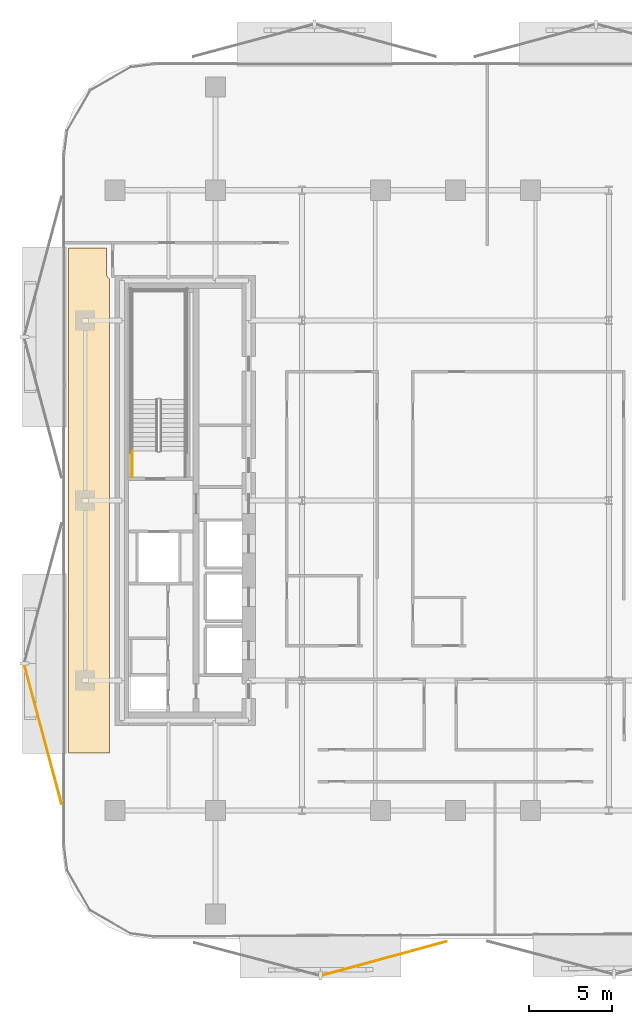
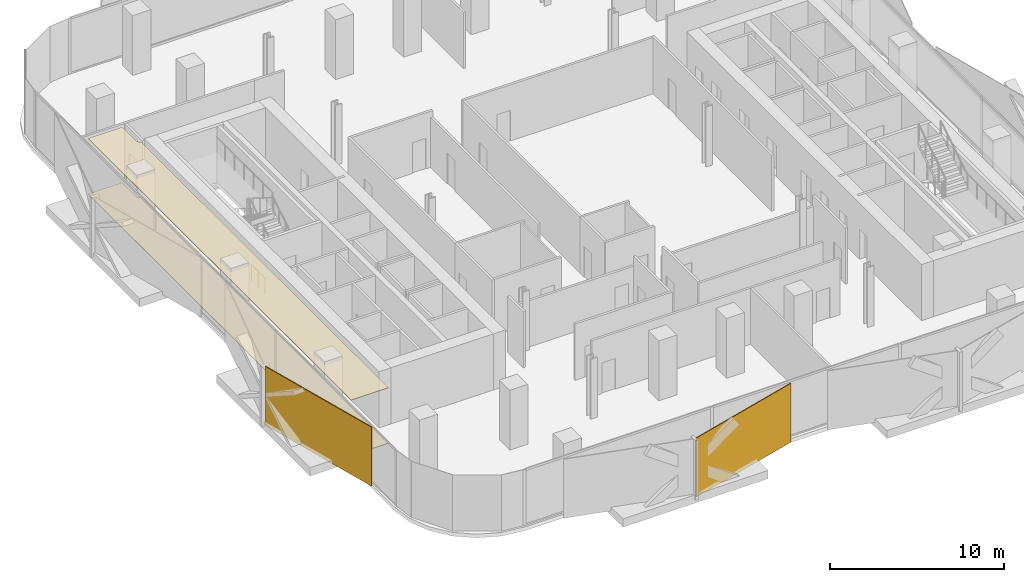
# One storey, part 11 of 16: 4 coverings, 1 railing.
"""IFC4 building model written with IfcOpenShell, lengths in metres."""

import ifcopenshell
import ifcopenshell.guid

model = None  # the IFC model being written
_history = None  # IfcOwnerHistory: only IFC2X3 demands one
_inside = {}  # id of a spatial element -> (the spatial element, [elements in it])
_under = {}  # id of a project, library or spatial element -> (it, [spatial elements below it])
_declared = {}  # id of a project -> (the project, [libraries it declares])
_typed = {}  # id of a type object -> (the type object, [elements of that type])
_made_of = {}  # id of a material, layer set ... -> (it, [elements and type objects made of it])


def new_model(schema):
    """Start an empty IFC model of exactly this schema.

    Asked for "IFC4X3", IfcOpenShell would pick the latest addendum, in which some entities
    have other attributes; the version numbers below select the first issue.
    IFC2X3 requires an IfcOwnerHistory on every rooted entity: one is made here for all.
    """
    global model, _history
    if schema == "IFC4X3":
        model = ifcopenshell.file(schema_version=(4, 3, 0, 0))
    else:
        model = ifcopenshell.file(schema=schema)
    _inside.clear()
    _under.clear()
    _declared.clear()
    _typed.clear()
    _made_of.clear()
    _history = None
    if model.schema == "IFC2X3":
        org = make("IfcOrganization", Name="unknown")
        user = make(
            "IfcPersonAndOrganization",
            ThePerson=make("IfcPerson", FamilyName="unknown"),
            TheOrganization=org,
        )
        app = make(
            "IfcApplication",
            ApplicationDeveloper=org,
            Version="unknown",
            ApplicationFullName="unknown",
            ApplicationIdentifier="unknown",
        )
        _history = make(
            "IfcOwnerHistory",
            OwningUser=user,
            OwningApplication=app,
            ChangeAction="ADDED",
            CreationDate=0,
        )
    return model


def make(cls, **values):
    """One entity of the class cls with the attributes given. An attribute that is None is left unset."""
    return model.create_entity(
        cls, **{name: value for name, value in values.items() if value is not None}
    )


def rooted(cls, **values):
    """An entity with a GlobalId (a new one), such as an element, a storey or a relation."""
    return make(cls, GlobalId=ifcopenshell.guid.new(), OwnerHistory=_history, **values)


def si_unit(unit_type, name, prefix=None):
    """IfcSIUnit, for example si_unit("LENGTHUNIT", "METRE", prefix="MILLI")."""
    return make("IfcSIUnit", UnitType=unit_type, Prefix=prefix, Name=name)


def assignment(units):
    """IfcUnitAssignment: the units of a project."""
    return None if units is None else make("IfcUnitAssignment", Units=units)


def point(xyz):
    """IfcCartesianPoint."""
    return None if xyz is None else make("IfcCartesianPoint", Coordinates=xyz)


def direction(xyz):
    """IfcDirection."""
    return None if xyz is None else make("IfcDirection", DirectionRatios=xyz)


def frame(location, z_axis=None, x_axis=None):
    """IfcAxis2Placement3D, a coordinate frame: its origin and axes. An axis left out is left unset."""
    return make(
        "IfcAxis2Placement3D",
        Location=point(location),
        Axis=direction(z_axis),
        RefDirection=direction(x_axis),
    )


def frame_2d(location, x_axis=None):
    """IfcAxis2Placement2D, a coordinate frame in the plane: its origin and x axis."""
    return make(
        "IfcAxis2Placement2D", Location=point(location), RefDirection=direction(x_axis)
    )


def origin():
    """The frame at (0, 0, 0) with its axes left unset."""
    return frame((0.0, 0.0, 0.0))


def origin_2d():
    """The frame at (0, 0) in the plane with its x axis left unset."""
    return frame_2d((0.0, 0.0))


def place(relative_to, where):
    """IfcLocalPlacement: puts the frame where relative to a parent placement (None: the world)."""
    return make(
        "IfcLocalPlacement", PlacementRelTo=relative_to, RelativePlacement=where
    )


def context(
    kind, dimensions, precision=None, world=None, true_north=None, identifier=None
):
    """IfcGeometricRepresentationContext, for example the 3D "Model" context."""
    return make(
        "IfcGeometricRepresentationContext",
        ContextIdentifier=identifier,
        ContextType=kind,
        CoordinateSpaceDimension=dimensions,
        Precision=precision,
        WorldCoordinateSystem=world,
        TrueNorth=true_north,
    )


def subcontext(parent, identifier, kind, view, scale=None):
    """IfcGeometricRepresentationSubContext, for example "Body" below "Model"."""
    return make(
        "IfcGeometricRepresentationSubContext",
        ContextIdentifier=identifier,
        ContextType=kind,
        ParentContext=parent,
        TargetScale=scale,
        TargetView=view,
    )


def project(units=None, contexts=None):
    """IfcProject with its units and contexts."""
    return rooted(
        "IfcProject",
        Name="project",
        RepresentationContexts=contexts,
        UnitsInContext=assignment(units),
    )


def spatial(cls, under=None, at=None, **own):
    """A site, building, storey or space (cls), placed at a placement, below another one or the project."""
    s = rooted(cls, ObjectPlacement=at, **own)
    if under is not None:
        _under.setdefault(under.id(), (under, []))[1].append(s)
    return s


def polyline(points):
    """IfcPolyline through the points."""
    return make("IfcPolyline", Points=[point(p) for p in points])


def profile(cls, at=None, kind="AREA", **sizes):
    """A parametric profile (cls). Its sizes go by their IFC names, for example OverallWidth=200.0."""
    return make(cls, ProfileType=kind, Position=at, **sizes)


def rectangle(**sizes):
    """IfcRectangleProfileDef."""
    return profile("IfcRectangleProfileDef", **sizes)


def circle(**sizes):
    """IfcCircleProfileDef."""
    return profile("IfcCircleProfileDef", **sizes)


def outline(outer, holes=None, kind="AREA"):
    """IfcArbitraryClosedProfileDef: a profile drawn as a closed curve; with holes, ...WithVoids."""
    if holes is None:
        return make("IfcArbitraryClosedProfileDef", ProfileType=kind, OuterCurve=outer)
    return make(
        "IfcArbitraryProfileDefWithVoids",
        ProfileType=kind,
        OuterCurve=outer,
        InnerCurves=holes,
    )


def extrude(swept, where, along, depth):
    """IfcExtrudedAreaSolid: the profile swept, set in the frame where, extruded along a direction by depth."""
    return make(
        "IfcExtrudedAreaSolid",
        SweptArea=swept,
        Position=where,
        ExtrudedDirection=direction(along),
        Depth=depth,
    )


def shape(context_of_items, identifier, shape_type, items):
    """IfcShapeRepresentation: the items that make up one representation, for example the "Body"."""
    return make(
        "IfcShapeRepresentation",
        ContextOfItems=context_of_items,
        RepresentationIdentifier=identifier,
        RepresentationType=shape_type,
        Items=items,
    )


def material(Name=None, Category=None):
    """IfcMaterial."""
    return make("IfcMaterial", Name=Name, Category=Category)


def layer(
    of_material, thickness, ventilated=None, Name=None, Category=None, Priority=None
):
    """IfcMaterialLayer: one layer of a wall or slab, of a material (None: an air gap)."""
    return make(
        "IfcMaterialLayer",
        Material=of_material,
        LayerThickness=thickness,
        IsVentilated=ventilated,
        Name=Name,
        Category=Category,
        Priority=Priority,
    )


def layer_set(layers, Name=None):
    """IfcMaterialLayerSet."""
    return make("IfcMaterialLayerSet", MaterialLayers=layers, LayerSetName=Name)


def made_of(thing, what):
    """Note that an element or type object is made of a material, layer set ...; save() writes the relation."""
    if what is not None:
        _made_of.setdefault(what.id(), (what, []))[1].append(thing)
    return thing


def type_object(cls, material=None, **own):
    """A type object (cls), such as IfcWallType, which elements share."""
    return made_of(rooted(cls, **own), material)


def element(
    cls,
    number,
    at=None,
    inside=None,
    cuts=None,
    type_object=None,
    material=None,
    context=None,
    identifier="Body",
    shape_type=None,
    held_by="IfcProductDefinitionShape",
    body=None,
    shapes=None,
    **own,
):
    """One element of the class cls, such as IfcWall. Its Tag is "e" and its number.

    at: its placement. inside: the storey or other place that contains it. cuts: it is an
    opening in that element (IfcRelVoidsElement). A single representation is given by context,
    identifier, shape_type and body (its items); several are given by shapes. held_by: the class
    of the entity that holds the representations. save() writes the other relations.
    """
    e = rooted(cls, Tag="e%d" % number, ObjectPlacement=at, **own)
    if body is not None:
        shapes = [shape(context, identifier, shape_type, body)]
    if shapes is not None:
        e.Representation = make(held_by, Representations=shapes)
    if inside is not None:
        _inside.setdefault(inside.id(), (inside, []))[1].append(e)
    if cuts is not None:
        rooted(
            "IfcRelVoidsElement", RelatingBuildingElement=cuts, RelatedOpeningElement=e
        )
    if type_object is not None:
        _typed.setdefault(type_object.id(), (type_object, []))[1].append(e)
    return made_of(e, material)


def aggregate(whole, parts):
    """IfcRelAggregates: a whole, such as a stair, and the parts it consists of."""
    return rooted("IfcRelAggregates", RelatingObject=whole, RelatedObjects=parts)


def save(model, path):
    """Write the relations noted so far, then the file.

    IfcRelAggregates (storeys below a building ...), IfcRelContainedInSpatialStructure (elements
    in a storey), IfcRelDefinesByType, IfcRelAssociatesMaterial and IfcRelDeclares: one each for
    every whole, place, type object, material and project.
    """
    for whole, parts in _under.values():
        aggregate(whole, parts)
    for where, things in _inside.values():
        rooted(
            "IfcRelContainedInSpatialStructure",
            RelatedElements=things,
            RelatingStructure=where,
        )
    for kind, things in _typed.values():
        rooted("IfcRelDefinesByType", RelatedObjects=things, RelatingType=kind)
    for what, things in _made_of.values():
        rooted("IfcRelAssociatesMaterial", RelatedObjects=things, RelatingMaterial=what)
    for by, libraries in _declared.values():
        rooted("IfcRelDeclares", RelatingContext=by, RelatedDefinitions=libraries)
    model.write(path)


model = new_model("IFC4")

# Units and contexts
model_context = context("Model", 3, precision=1e-05, world=origin(), true_north=direction((0.0, 1.0)))
body_context = subcontext(model_context, "Body", "Model", "MODEL_VIEW")
ifc_project = project(units=[si_unit("LENGTHUNIT", "METRE"), si_unit("AREAUNIT", "SQUARE_METRE"), si_unit("VOLUMEUNIT", "CUBIC_METRE"), si_unit("PLANEANGLEUNIT", "RADIAN"), si_unit("MASSUNIT", "GRAM", prefix="KILO")], contexts=[model_context])

# Site, building, storey
site_placement = place(None, origin())
site = spatial("IfcSite", under=ifc_project, at=site_placement, CompositionType="ELEMENT")
building_placement = place(site_placement, origin())
building = spatial("IfcBuilding", under=site, at=building_placement, Name="Khairoan Windgate Tower", CompositionType="ELEMENT")
storey_placement = place(building_placement, frame((0.0, 0.0, 97.39990234375)))
storey = spatial("IfcBuildingStorey", under=building, at=storey_placement, Name="L22", CompositionType="ELEMENT", Elevation=97.39990234375)

# Coverings
ifc_material_1 = material(Name="Engineered Teak Timber", Category="wood")
ifc_layer_1 = layer(ifc_material_1, 0.0400390625, Name="Engineered Teak Timber")
ifc_layer_set_1 = layer_set([ifc_layer_1], Name="Engineered Teak Timber")
covering_type_1 = type_object("IfcCoveringType", Name="Engineered Teak Residence Flooring", PredefinedType="FLOORING", material=ifc_layer_set_1)
covering_1_placement = place(storey_placement, origin())
element("IfcCovering", 1, at=covering_1_placement, inside=storey, type_object=covering_type_1, Name="L22 L22 West Flank Office Finish Flooring", PredefinedType="FLOORING", context=body_context, shape_type="SweptSolid", body=[
    extrude(outline(polyline([(-20.72998046875, -15.14990234375), (-23.18994140625, -15.14990234375), (-23.18994140625, 15.14990234375), (-20.929931640625, 15.14990234375), (-20.929931640625, 13.60009765625), (-20.9296875, 13.587158203125), (-20.92919921875, 13.579345703125), (-20.92724609375, 13.557373046875), (-20.926025390625, 13.549560546875), (-20.9208984375, 13.523681640625), (-20.919189453125, 13.51611328125), (-20.91162109375, 13.4912109375), (-20.90869140625, 13.483642578125), (-20.900634765625, 13.464111328125), (-20.897216796875, 13.456787109375), (-20.8837890625, 13.431884765625), (-20.879638671875, 13.425048828125), (-20.867919921875, 13.40771484375), (-20.86328125, 13.401123046875), (-20.847900390625, 13.38232421875), (-20.8427734375, 13.37646484375), (-20.823486328125, 13.357421875), (-20.817626953125, 13.35205078125), (-20.798828125, 13.336669921875), (-20.79248046875, 13.33203125), (-20.77490234375, 13.3203125), (-20.768310546875, 13.316162109375), (-20.7431640625, 13.302734375), (-20.736083984375, 13.29931640625), (-20.72998046875, 13.296875), (-20.72998046875, -15.14990234375)])), origin(), (0.0, 0.0, 1.0), 0.0400390625),
])
ifc_material_2 = material(Name="Acoustic Mineral Fibre Ceiling", Category="gypsum")
ifc_layer_2 = layer(ifc_material_2, 0.0400390625, Name="Acoustic Mineral Fibre Ceiling")
ifc_layer_set_2 = layer_set([ifc_layer_2], Name="Acoustic Mineral Fibre Ceiling")
covering_type_2 = type_object("IfcCoveringType", Name="Flush Acoustic Mineral Ceiling Panel", PredefinedType="CEILING", material=ifc_layer_set_2)
covering_2_placement = place(storey_placement, frame((0.0, 0.0, 3.900146484375)))
element("IfcCovering", 2, at=covering_2_placement, inside=storey, type_object=covering_type_2, Name="L22 L22 West Flank Office Acoustic Ceiling", PredefinedType="CEILING", context=body_context, shape_type="SweptSolid", body=[
    extrude(outline(polyline([(-20.72998046875, -15.14990234375), (-23.18994140625, -15.14990234375), (-23.18994140625, 15.14990234375), (-20.929931640625, 15.14990234375), (-20.929931640625, 13.60009765625), (-20.9296875, 13.587158203125), (-20.92919921875, 13.579345703125), (-20.92724609375, 13.557373046875), (-20.926025390625, 13.549560546875), (-20.9208984375, 13.523681640625), (-20.919189453125, 13.51611328125), (-20.91162109375, 13.4912109375), (-20.90869140625, 13.483642578125), (-20.900634765625, 13.464111328125), (-20.897216796875, 13.456787109375), (-20.8837890625, 13.431884765625), (-20.879638671875, 13.425048828125), (-20.867919921875, 13.40771484375), (-20.86328125, 13.401123046875), (-20.847900390625, 13.38232421875), (-20.8427734375, 13.37646484375), (-20.823486328125, 13.357421875), (-20.817626953125, 13.35205078125), (-20.798828125, 13.336669921875), (-20.79248046875, 13.33203125), (-20.77490234375, 13.3203125), (-20.768310546875, 13.316162109375), (-20.7431640625, 13.302734375), (-20.736083984375, 13.29931640625), (-20.72998046875, 13.296875), (-20.72998046875, -15.14990234375)])), origin(), (0.0, 0.0, 1.0), 0.0400390625),
])
ifc_material_3 = material(Name="Anodised Bronze Aluminium 6063-T6", Category="aluminium")
ifc_layer_3 = layer(ifc_material_3, 0.054931640625, Name="Anodised Bronze Aluminium 6063-T6")
ifc_layer_set_3 = layer_set([ifc_layer_3], Name="Anodised Bronze Aluminium 6063-T6")
covering_type_3 = type_object("IfcCoveringType", Name="Perforated Bronze-Ceramic Folded Solar Screen Cladding BSC-1", PredefinedType="CLADDING", material=ifc_layer_set_3)
covering_3_placement = place(storey_placement, frame((-4.261962890625, -27.470947265625, -0.099609375), z_axis=(0.0, 0.0, 1.0), x_axis=(-0.964649468762, -0.263536339841, 0.0)))
element("IfcCovering", 3, at=covering_3_placement, inside=storey, type_object=covering_type_3, Name="L22 Folded Bronze Solar Screen Facet 122L", PredefinedType="CLADDING", context=body_context, shape_type="SweptSolid", body=[
    extrude(rectangle(XDim=7.739013671875, YDim=0.054931640625, at=origin_2d()), origin(), (0.0, 0.0, 1.0), 4.139892578125),
])
covering_4_placement = place(storey_placement, frame((-24.724609375, -14.048583984375, -0.099609375), z_axis=(0.0, 0.0, 1.0), x_axis=(-0.258819045103, 0.965925826289, 0.0)))
element("IfcCovering", 4, at=covering_4_placement, inside=storey, type_object=covering_type_3, Name="L22 Folded Bronze Solar Screen Facet 123L", PredefinedType="CLADDING", context=body_context, shape_type="SweptSolid", body=[
    extrude(rectangle(XDim=8.6201171875, YDim=0.054931640625, at=origin_2d()), origin(), (0.0, 0.0, 1.0), 4.139892578125),
])

# Railing
ifc_material_4 = material(Name="Steel S355", Category="steel")
railing_type = type_object("IfcRailingType", Name="Stairwell Safety Guardrail SGR-1150", PredefinedType="GUARDRAIL", material=ifc_material_4)
railing_placement = place(storey_placement, frame((-19.3701171875, 1.39990234375, 0.0)))
element("IfcRailing", 5, at=railing_placement, inside=storey, type_object=railing_type, Name="L22 ST2 stair guard 9", PredefinedType="GUARDRAIL", context=body_context, shape_type="SweptSolid", body=[
    extrude(circle(Radius=0.02392578125, at=origin_2d()), frame((0.0, 0.0, 1.1259765625), z_axis=(0.0, 1.0, 0.0), x_axis=(-1.0, 0.0, 0.0)), (0.0, 0.0, 1.0), 1.56005859375),
    extrude(circle(Radius=0.02099609375, at=origin_2d()), origin(), (0.0, 0.0, 1.0), 1.101806640625),
    extrude(circle(Radius=0.02099609375, at=origin_2d()), frame((0.0, 0.780029296875, 0.0)), (0.0, 0.0, 1.0), 1.101806640625),
    extrude(circle(Radius=0.02099609375, at=origin_2d()), frame((0.0, 1.56005859375, 0.0)), (0.0, 0.0, 1.0), 1.101806640625),
])

save(model, "model.ifc")
